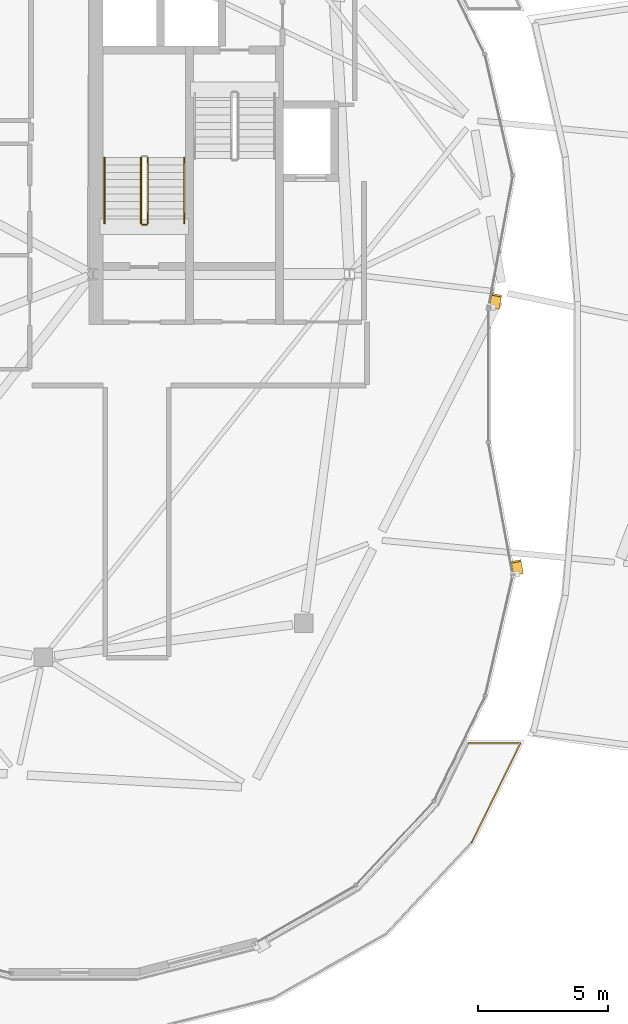
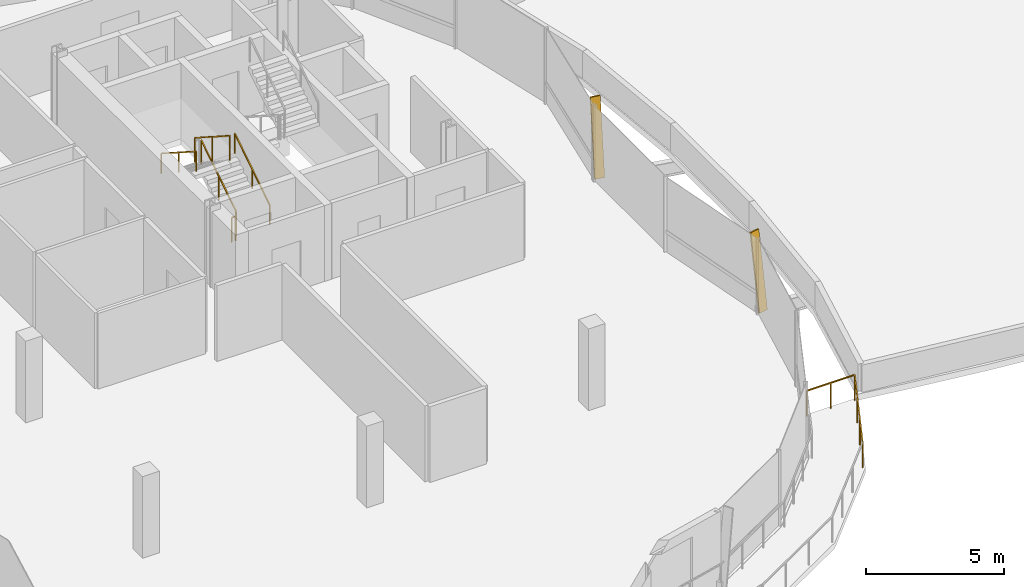
# One storey, part 26 of 31: 6 railings, 2 shading devices.
"""IFC4 building model written with IfcOpenShell, lengths in metres."""

from ifc_helpers import new_model, si_unit, direction, frame, origin, origin_2d, place, context, subcontext, project, spatial, rectangle, extrude, material, material_profile, profile_set, type_object, element, save


model = new_model("IFC4")

# Units and contexts
model_context = context("Model", 3, precision=1e-05, world=origin(), true_north=direction((0.0, 1.0)))
body_context = subcontext(model_context, "Body", "Model", "MODEL_VIEW")
ifc_project = project(units=[si_unit("LENGTHUNIT", "METRE"), si_unit("AREAUNIT", "SQUARE_METRE"), si_unit("VOLUMEUNIT", "CUBIC_METRE"), si_unit("PLANEANGLEUNIT", "RADIAN"), si_unit("MASSUNIT", "GRAM", prefix="KILO"), si_unit("THERMODYNAMICTEMPERATUREUNIT", "KELVIN"), si_unit("POWERUNIT", "WATT")], contexts=[model_context])

# Site, building, storey
site_placement = place(None, origin())
site = spatial("IfcSite", under=ifc_project, at=site_placement, CompositionType="ELEMENT")
building_placement = place(site_placement, origin())
building = spatial("IfcBuilding", under=site, at=building_placement, Name="Cundina Bronze Exchange", CompositionType="ELEMENT")
storey_placement = place(building_placement, frame((0.0, 0.0, 275.60009765625)))
storey = spatial("IfcBuildingStorey", under=building, at=storey_placement, Name="L73", CompositionType="ELEMENT", Elevation=275.60009765625)

# Railings
ifc_material_1 = material(Name="Anodised Bronze Aluminium 6063-T6", Category="aluminium")
railing_type_1 = type_object("IfcRailingType", Name="RLG-GRD-1150", PredefinedType="GUARDRAIL", material=ifc_material_1)
railing_1_placement = place(storey_placement, frame((-16.885498046875, -14.10009765625, 0.0)))
element("IfcRailing", 1, at=railing_1_placement, inside=storey, type_object=railing_type_1, Name="L73 Perimeter Safety Guardrail 10", PredefinedType="GUARDRAIL", context=body_context, shape_type="SweptSolid", body=[
    extrude(rectangle(XDim=0.048095703125, YDim=0.048095703125, at=origin_2d()), frame((0.0, 0.0, 1.1259765625), z_axis=(1.0, 0.0, 0.0), x_axis=(0.0, 1.0, 0.0)), (0.0, 0.0, 1.0), 1.99560546875),
    extrude(rectangle(XDim=0.048095703125, YDim=0.048095703125, at=origin_2d()), frame((1.99560546875, 0.0, 1.1259765625), z_axis=(-0.440493349909, -0.897755873657, 0.0), x_axis=(0.897755873657, -0.440493349909, 0.0)), (0.0, 0.0, 1.0), 4.236572265625),
    extrude(rectangle(XDim=0.0419921875, YDim=0.0419921875, at=origin_2d()), origin(), (0.0, 0.0, 1.0), 1.101806640625),
    extrude(rectangle(XDim=0.0419921875, YDim=0.0419921875, at=origin_2d()), frame((0.997802734375, 0.0, 0.0)), (0.0, 0.0, 1.0), 1.101806640625),
    extrude(rectangle(XDim=0.0419921875, YDim=0.0419921875, at=origin_2d()), frame((1.99560546875, 0.0, 0.0)), (0.0, 0.0, 1.0), 1.101806640625),
    extrude(rectangle(XDim=0.0419921875, YDim=0.0419921875, at=origin_2d()), frame((1.37353515625, -1.267822265625, 0.0)), (0.0, 0.0, 1.0), 1.101806640625),
    extrude(rectangle(XDim=0.0419921875, YDim=0.0419921875, at=origin_2d()), frame((0.75146484375, -2.53564453125, 0.0)), (0.0, 0.0, 1.0), 1.101806640625),
    extrude(rectangle(XDim=0.0419921875, YDim=0.0419921875, at=origin_2d()), frame((0.12939453125, -3.803466796875, 0.0)), (0.0, 0.0, 1.0), 1.101806640625),
])
ifc_material_2 = material(Name="Steel ASTM A36 Painted", Category="steel")
railing_type_2 = type_object("IfcRailingType", Name="RLG-HND-900", PredefinedType="HANDRAIL", material=ifc_material_2)
railing_2_placement = place(storey_placement, frame((-27.7900390625, 5.85009765625, 0.179931640625)))
element("IfcRailing", 2, at=railing_2_placement, inside=storey, type_object=railing_type_2, Name="L73 ST-W1 stair handrail 1", PredefinedType="HANDRAIL", context=body_context, shape_type="SweptSolid", body=[
    extrude(rectangle(XDim=0.048095703125, YDim=0.048095703125, at=origin_2d()), frame((0.0, 0.0, 0.8759765625), z_axis=(0.0, 0.841199657755, 0.540724639528), x_axis=(-1.0, 0.0, 0.0)), (0.0, 0.0, 1.0), 2.995849609375),
    extrude(rectangle(XDim=0.0419921875, YDim=0.0419921875, at=origin_2d()), origin(), (0.0, 0.0, 1.0), 0.851806640625),
    extrude(rectangle(XDim=0.0419921875, YDim=0.0419921875, at=origin_2d()), frame((0.0, 1.260009765625, 0.81005859375)), (0.0, 0.0, 1.0), 0.851806640625),
    extrude(rectangle(XDim=0.0419921875, YDim=0.0419921875, at=origin_2d()), frame((0.0, 2.52001953125, 1.619873046875)), (0.0, 0.0, 1.0), 0.851806640625),
])
railing_3_placement = place(storey_placement, frame((-30.85009765625, 8.3701171875, 1.97998046875)))
element("IfcRailing", 3, at=railing_3_placement, inside=storey, type_object=railing_type_2, Name="L73 ST-W1 stair handrail 2", PredefinedType="HANDRAIL", context=body_context, shape_type="SweptSolid", body=[
    extrude(rectangle(XDim=0.048095703125, YDim=0.048095703125, at=origin_2d()), frame((0.0, 0.0, 0.8759765625), z_axis=(0.0, -0.841199657755, 0.540724639528), x_axis=(1.0, 0.0, 0.0)), (0.0, 0.0, 1.0), 2.995849609375),
    extrude(rectangle(XDim=0.0419921875, YDim=0.0419921875, at=origin_2d()), origin(), (0.0, 0.0, 1.0), 0.851806640625),
    extrude(rectangle(XDim=0.0419921875, YDim=0.0419921875, at=origin_2d()), frame((0.0, -1.260009765625, 0.81005859375)), (0.0, 0.0, 1.0), 0.851806640625),
    extrude(rectangle(XDim=0.0419921875, YDim=0.0419921875, at=origin_2d()), frame((0.0, -2.52001953125, 1.619873046875)), (0.0, 0.0, 1.0), 0.851806640625),
])
railing_type_3 = type_object("IfcRailingType", Name="RLG-STG-1100", PredefinedType="GUARDRAIL", material=ifc_material_2)
railing_4_placement = place(storey_placement, frame((-29.18994140625, 5.85009765625, 0.179931640625)))
element("IfcRailing", 4, at=railing_4_placement, inside=storey, type_object=railing_type_3, Name="L73 ST-W1 stair guard 1", PredefinedType="GUARDRAIL", context=body_context, shape_type="SweptSolid", body=[
    extrude(rectangle(XDim=0.048095703125, YDim=0.048095703125, at=origin_2d()), frame((0.0, 0.0, 1.076171875), z_axis=(0.0, 0.841199657755, 0.540724639528), x_axis=(-1.0, 0.0, 0.0)), (0.0, 0.0, 1.0), 2.995849609375),
    extrude(rectangle(XDim=0.0419921875, YDim=0.0419921875, at=origin_2d()), origin(), (0.0, 0.0, 1.0), 1.052001953125),
    extrude(rectangle(XDim=0.0419921875, YDim=0.0419921875, at=origin_2d()), frame((0.0, 1.260009765625, 0.81005859375)), (0.0, 0.0, 1.0), 1.052001953125),
    extrude(rectangle(XDim=0.0419921875, YDim=0.0419921875, at=origin_2d()), frame((0.0, 2.52001953125, 1.619873046875)), (0.0, 0.0, 1.0), 1.052001953125),
])
railing_5_placement = place(storey_placement, frame((-29.449951171875, 8.3701171875, 1.97998046875)))
element("IfcRailing", 5, at=railing_5_placement, inside=storey, type_object=railing_type_3, Name="L73 ST-W1 stair guard 3", PredefinedType="GUARDRAIL", context=body_context, shape_type="SweptSolid", body=[
    extrude(rectangle(XDim=0.048095703125, YDim=0.048095703125, at=origin_2d()), frame((0.0, 0.0, 1.076171875), z_axis=(0.0, -0.841199657755, 0.540724639528), x_axis=(1.0, 0.0, 0.0)), (0.0, 0.0, 1.0), 2.995849609375),
    extrude(rectangle(XDim=0.0419921875, YDim=0.0419921875, at=origin_2d()), origin(), (0.0, 0.0, 1.0), 1.052001953125),
    extrude(rectangle(XDim=0.0419921875, YDim=0.0419921875, at=origin_2d()), frame((0.0, -1.260009765625, 0.81005859375)), (0.0, 0.0, 1.0), 1.052001953125),
    extrude(rectangle(XDim=0.0419921875, YDim=0.0419921875, at=origin_2d()), frame((0.0, -2.52001953125, 1.619873046875)), (0.0, 0.0, 1.0), 1.052001953125),
])
railing_6_placement = place(storey_placement, frame((-29.239990234375, 5.800048828125, 0.0)))
element("IfcRailing", 6, at=railing_6_placement, inside=storey, type_object=railing_type_3, Name="L73 ST-W1 stair guard 4", PredefinedType="GUARDRAIL", context=body_context, shape_type="SweptSolid", body=[
    extrude(rectangle(XDim=0.048095703125, YDim=0.048095703125, at=origin_2d()), frame((0.0, 0.0, 1.076171875), z_axis=(-1.0, 0.0, 0.0), x_axis=(0.0, -1.0, 0.0)), (0.0, 0.0, 1.0), 0.159912109375),
    extrude(rectangle(XDim=0.0419921875, YDim=0.0419921875, at=origin_2d()), origin(), (0.0, 0.0, 1.0), 1.052001953125),
    extrude(rectangle(XDim=0.0419921875, YDim=0.0419921875, at=origin_2d()), frame((-0.159912109375, 0.0, 0.0)), (0.0, 0.0, 1.0), 1.052001953125),
])

# Shading devices
ifc_material_profile = material_profile(ifc_material_1, rectangle(XDim=0.070068359375, YDim=0.3798828125, at=origin_2d()), Name="FIN70X380", Category="aluminium")
ifc_profile_set = profile_set([ifc_material_profile], Name="Anodised Bronze Aluminium 6063-T6")
shading_device_type = type_object("IfcShadingDeviceType", Name="SHD-FIN-BRZ380", PredefinedType="USERDEFINED", material=ifc_profile_set)
for number, where, z_axis, x_axis, name in (
    (7, (-15.88671875, 2.62109375, 0.02001953125), (0.026138160459, 0.141526790384, 0.989589290651), (-0.179724849339, -0.973132027374, 0.143920241205), "L73 Diagonal Bronze Solar Fin 1"),
    (8, (-14.96826171875, -7.595458984375, 0.02001953125), (-0.026138160459, 0.141526790384, 0.989589290651), (0.179724849339, -0.973132027374, 0.143920241205), "L73 Diagonal Bronze Solar Fin 5"),
):
    element("IfcShadingDevice", number, at=place(storey_placement, frame(where, z_axis=z_axis, x_axis=x_axis)), inside=storey, type_object=shading_device_type, Name=name, ObjectType="FIN", PredefinedType="USERDEFINED", context=body_context, shape_type="SweptSolid", body=[
        extrude(rectangle(XDim=0.070068359375, YDim=0.3798828125, at=origin_2d()), origin(), (0.0, 0.0, 1.0), 3.33447265625),
    ])

save(model, "model.ifc")
